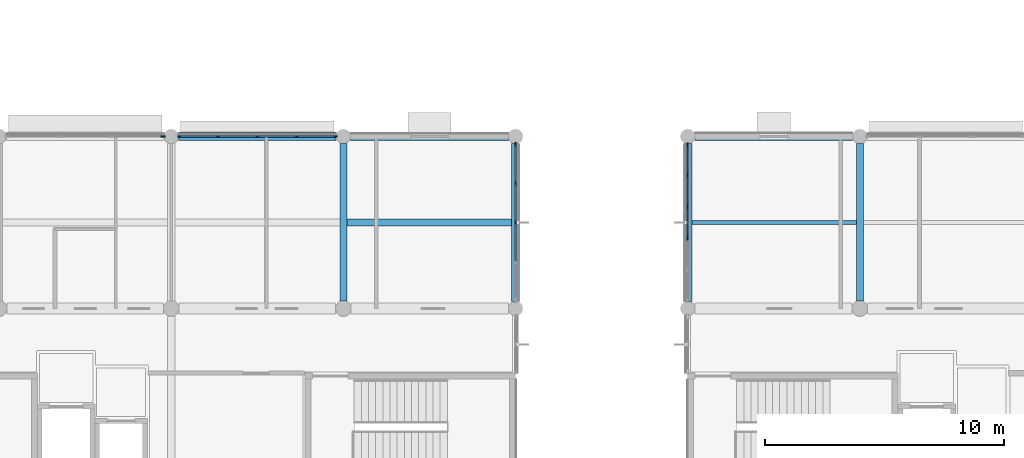
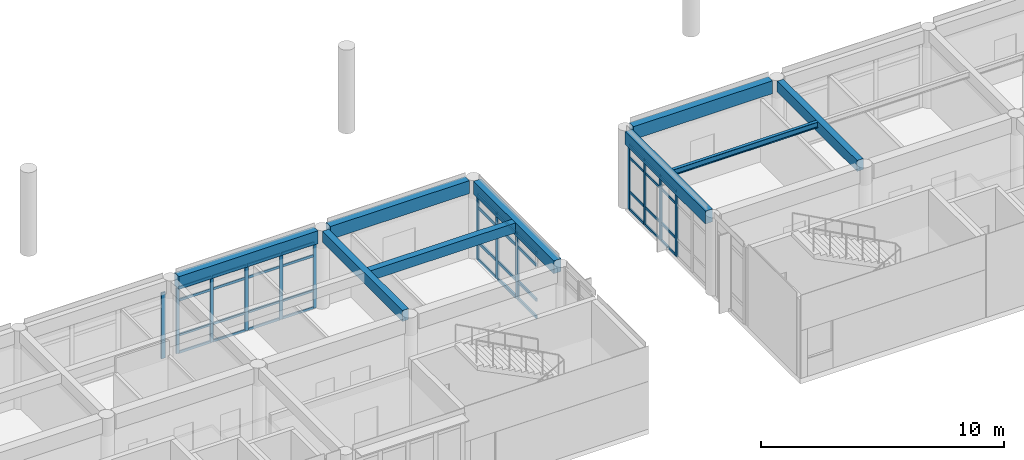
# One storey, part 13 of 55: 53 members, 9 beams, 4 elements without a shape of their own.
"""IFC4 building model written with IfcOpenShell, lengths in metres."""

from ifc_helpers import new_model, si_unit, direction, frame, origin, origin_2d, place, context, subcontext, project, spatial, rectangle, i_section, extrude, material, layer, layer_set, material_profile, profile_set, type_object, element, aggregate, save


model = new_model("IFC4")

# Units and contexts
model_context = context("Model", 3, precision=1e-05, world=origin(), true_north=direction((0.0, 1.0)))
body_context = subcontext(model_context, "Body", "Model", "MODEL_VIEW")
ifc_project = project(units=[si_unit("LENGTHUNIT", "METRE"), si_unit("AREAUNIT", "SQUARE_METRE"), si_unit("VOLUMEUNIT", "CUBIC_METRE"), si_unit("PLANEANGLEUNIT", "RADIAN"), si_unit("MASSUNIT", "GRAM", prefix="KILO")], contexts=[model_context])

# Site, building, storey
site_placement = place(None, origin())
site = spatial("IfcSite", under=ifc_project, at=site_placement, CompositionType="ELEMENT")
building_placement = place(site_placement, origin())
building = spatial("IfcBuilding", under=site, at=building_placement, Name="Namkhue Oval Health Centre", CompositionType="ELEMENT")
storey_placement = place(building_placement, frame((0.0, 0.0, 9.60009765625)))
storey = spatial("IfcBuildingStorey", under=building, at=storey_placement, Name="L02", CompositionType="ELEMENT", Elevation=9.60009765625)

# Curtain wall, members
ifc_material_1 = material(Name="Anodised aluminium EN AW-6063 T6", Category="aluminium")
ifc_layer_1 = layer(ifc_material_1, 0.159912109375)
ifc_layer_set_1 = layer_set([ifc_layer_1], Name="Anodised aluminium EN AW-6063 T6")
curtain_wall_type_1 = type_object("IfcCurtainWallType", Name="UNITISED CURTAIN WALL M1800", PredefinedType="NOTDEFINED", material=ifc_layer_set_1)
curtain_wall_1_placement = place(storey_placement, origin())
curtain_wall_1 = element("IfcCurtainWall", 1, at=curtain_wall_1_placement, inside=storey, type_object=curtain_wall_type_1, Name="Volume V2 L02 Unitised Curtain Wall 65", PredefinedType="NOTDEFINED")
ifc_material_profile_1 = material_profile(ifc_material_1, rectangle(XDim=0.06494140625, YDim=0.159912109375, at=origin_2d()), Name="ALU 65x160")
ifc_profile_set_1 = profile_set([ifc_material_profile_1], Name="Anodised aluminium EN AW-6063 T6")
member_type_1 = type_object("IfcMemberType", Name="CURTAIN WALL MULLION 65X160", PredefinedType="MULLION", material=ifc_profile_set_1)
member_1_placement = place(storey_placement, frame((78.857421875, 104.39990234375, 0.0), z_axis=(0.0, 0.0, 1.0), x_axis=(0.0, -1.0, 0.0)))
member_1 = element("IfcMember", 2, at=member_1_placement, type_object=member_type_1, Name="CW-05 mullion 1", PredefinedType="MULLION", context=body_context, shape_type="SweptSolid", body=[
    extrude(rectangle(XDim=0.06494140625, YDim=0.159912109375, at=origin_2d()), origin(), (0.0, 0.0, 1.0), 3.2998046875),
])
member_2_placement = place(storey_placement, frame((77.2451171875, 104.39990234375, 0.0), z_axis=(0.0, 0.0, 1.0), x_axis=(0.0, -1.0, 0.0)))
member_2 = element("IfcMember", 3, at=member_2_placement, type_object=member_type_1, Name="CW-05 mullion 2", PredefinedType="MULLION", context=body_context, shape_type="SweptSolid", body=[
    extrude(rectangle(XDim=0.06494140625, YDim=0.159912109375, at=origin_2d()), origin(), (0.0, 0.0, 1.0), 3.2998046875),
])
member_3_placement = place(storey_placement, frame((75.60009765625, 104.39990234375, 0.0), z_axis=(0.0, 0.0, 1.0), x_axis=(0.0, -1.0, 0.0)))
member_3 = element("IfcMember", 4, at=member_3_placement, type_object=member_type_1, Name="CW-05 mullion 3", PredefinedType="MULLION", context=body_context, shape_type="SweptSolid", body=[
    extrude(rectangle(XDim=0.06494140625, YDim=0.159912109375, at=origin_2d()), origin(), (0.0, 0.0, 1.0), 3.2998046875),
])
member_4_placement = place(storey_placement, frame((73.955078125, 104.39990234375, 0.0), z_axis=(0.0, 0.0, 1.0), x_axis=(0.0, -1.0, 0.0)))
member_4 = element("IfcMember", 5, at=member_4_placement, type_object=member_type_1, Name="CW-05 mullion 4", PredefinedType="MULLION", context=body_context, shape_type="SweptSolid", body=[
    extrude(rectangle(XDim=0.06494140625, YDim=0.159912109375, at=origin_2d()), origin(), (0.0, 0.0, 1.0), 3.2998046875),
])
member_5_placement = place(storey_placement, frame((72.342529296875, 104.39990234375, 0.0), z_axis=(0.0, 0.0, 1.0), x_axis=(0.0, -1.0, 0.0)))
member_5 = element("IfcMember", 6, at=member_5_placement, type_object=member_type_1, Name="CW-05 mullion 5", PredefinedType="MULLION", context=body_context, shape_type="SweptSolid", body=[
    extrude(rectangle(XDim=0.06494140625, YDim=0.159912109375, at=origin_2d()), origin(), (0.0, 0.0, 1.0), 3.2998046875),
])

ifc_layer_2 = layer(ifc_material_1, 0.159912109375)
ifc_layer_set_2 = layer_set([ifc_layer_2], Name="Anodised aluminium EN AW-6063 T6")
curtain_wall_type_2 = type_object("IfcCurtainWallType", Name="UNITISED CURTAIN WALL M1200", PredefinedType="NOTDEFINED", material=ifc_layer_set_2)
curtain_wall_2_placement = place(storey_placement, origin())
curtain_wall_2 = element("IfcCurtainWall", 7, at=curtain_wall_2_placement, inside=storey, type_object=curtain_wall_type_2, Name="Volume V3 L02 Unitised Curtain Wall 115", PredefinedType="NOTDEFINED")
member_6_placement = place(storey_placement, frame((93.60009765625, 104.0576171875, 0.0), z_axis=(0.0, 0.0, 1.0), x_axis=(1.0, 0.0, 0.0)))
member_6 = element("IfcMember", 8, at=member_6_placement, type_object=member_type_1, Name="CW-01 mullion 1", PredefinedType="MULLION", context=body_context, shape_type="SweptSolid", body=[
    extrude(rectangle(XDim=0.06494140625, YDim=0.159912109375, at=origin_2d()), origin(), (0.0, 0.0, 1.0), 3.27490234375),
])
member_7_placement = place(storey_placement, frame((93.60009765625, 102.77392578125, 0.0), z_axis=(0.0, 0.0, 1.0), x_axis=(1.0, 0.0, 0.0)))
member_7 = element("IfcMember", 9, at=member_7_placement, type_object=member_type_1, Name="CW-01 mullion 2", PredefinedType="MULLION", context=body_context, shape_type="SweptSolid", body=[
    extrude(rectangle(XDim=0.06494140625, YDim=0.159912109375, at=origin_2d()), origin(), (0.0, 0.0, 1.0), 3.27490234375),
])
member_8_placement = place(storey_placement, frame((93.60009765625, 101.4580078125, 0.0), z_axis=(0.0, 0.0, 1.0), x_axis=(1.0, 0.0, 0.0)))
member_8 = element("IfcMember", 10, at=member_8_placement, type_object=member_type_1, Name="CW-01 mullion 3", PredefinedType="MULLION", context=body_context, shape_type="SweptSolid", body=[
    extrude(rectangle(XDim=0.06494140625, YDim=0.159912109375, at=origin_2d()), origin(), (0.0, 0.0, 1.0), 3.27490234375),
])
member_9_placement = place(storey_placement, frame((93.60009765625, 100.14208984375, 0.0), z_axis=(0.0, 0.0, 1.0), x_axis=(1.0, 0.0, 0.0)))
member_9 = element("IfcMember", 11, at=member_9_placement, type_object=member_type_1, Name="CW-01 mullion 4", PredefinedType="MULLION", context=body_context, shape_type="SweptSolid", body=[
    extrude(rectangle(XDim=0.06494140625, YDim=0.159912109375, at=origin_2d()), origin(), (0.0, 0.0, 1.0), 3.27490234375),
])

ifc_layer_3 = layer(ifc_material_1, 0.159912109375)
ifc_layer_set_3 = layer_set([ifc_layer_3], Name="Anodised aluminium EN AW-6063 T6")
curtain_wall_type_3 = type_object("IfcCurtainWallType", Name="UNITISED CURTAIN WALL M1600", PredefinedType="NOTDEFINED", material=ifc_layer_set_3)
curtain_wall_3_placement = place(storey_placement, origin())
curtain_wall_3 = element("IfcCurtainWall", 12, at=curtain_wall_3_placement, inside=storey, type_object=curtain_wall_type_3, Name="Volume V2 L02 Unitised Curtain Wall 64", PredefinedType="NOTDEFINED")
ifc_material_profile_2 = material_profile(ifc_material_1, rectangle(XDim=0.074951171875, YDim=0.199951171875, at=origin_2d()), Name="ALU 75x200")
ifc_profile_set_2 = profile_set([ifc_material_profile_2], Name="Anodised aluminium EN AW-6063 T6")
member_type_2 = type_object("IfcMemberType", Name="CURTAIN WALL MULLION 75X200", PredefinedType="MULLION", material=ifc_profile_set_2)
member_10_placement = place(storey_placement, frame((86.39990234375, 100.800048828125, 0.0), z_axis=(0.0, 0.0, 1.0), x_axis=(-1.0, 0.0, 0.0)))
member_10 = element("IfcMember", 13, at=member_10_placement, type_object=member_type_2, Name="CW-04 mullion 3", PredefinedType="MULLION", context=body_context, shape_type="SweptSolid", body=[
    extrude(rectangle(XDim=0.074951171875, YDim=0.199951171875, at=origin_2d()), origin(), (0.0, 0.0, 1.0), 3.2998046875),
])
member_11_placement = place(storey_placement, frame((86.39990234375, 102.445068359375, 0.0), z_axis=(0.0, 0.0, 1.0), x_axis=(-1.0, 0.0, 0.0)))
member_11 = element("IfcMember", 14, at=member_11_placement, type_object=member_type_2, Name="CW-04 mullion 4", PredefinedType="MULLION", context=body_context, shape_type="SweptSolid", body=[
    extrude(rectangle(XDim=0.074951171875, YDim=0.199951171875, at=origin_2d()), origin(), (0.0, 0.0, 1.0), 3.2998046875),
])
member_12_placement = place(storey_placement, frame((86.39990234375, 104.052490234375, 0.0), z_axis=(0.0, 0.0, 1.0), x_axis=(-1.0, 0.0, 0.0)))
member_12 = element("IfcMember", 15, at=member_12_placement, type_object=member_type_2, Name="CW-04 mullion 5", PredefinedType="MULLION", context=body_context, shape_type="SweptSolid", body=[
    extrude(rectangle(XDim=0.074951171875, YDim=0.199951171875, at=origin_2d()), origin(), (0.0, 0.0, 1.0), 3.2998046875),
])

# Curtain wall, member
ifc_layer_4 = layer(ifc_material_1, 0.159912109375)
ifc_layer_set_4 = layer_set([ifc_layer_4], Name="Anodised aluminium EN AW-6063 T6")
curtain_wall_type_4 = type_object("IfcCurtainWallType", Name="UNITISED CURTAIN WALL M2000", PredefinedType="NOTDEFINED", material=ifc_layer_set_4)
curtain_wall_4_placement = place(storey_placement, origin())
curtain_wall_4 = element("IfcCurtainWall", 16, at=curtain_wall_4_placement, inside=storey, type_object=curtain_wall_type_4, Name="Volume V2 L02 Unitised Curtain Wall 66", PredefinedType="NOTDEFINED")
member_13_placement = place(storey_placement, frame((71.652587890625, 104.39990234375, 0.0), z_axis=(0.0, 0.0, 1.0), x_axis=(0.0, -1.0, 0.0)))
member_13 = element("IfcMember", 17, at=member_13_placement, type_object=member_type_2, Name="CW-06 mullion 1", PredefinedType="MULLION", context=body_context, shape_type="SweptSolid", body=[
    extrude(rectangle(XDim=0.074951171875, YDim=0.199951171875, at=origin_2d()), origin(), (0.0, 0.0, 1.0), 3.2998046875),
])
aggregate(curtain_wall_4, [member_13])

# Member
ifc_material_profile_3 = material_profile(ifc_material_1, rectangle(XDim=0.06494140625, YDim=0.1201171875, at=origin_2d()), Name="ALU 65x120")
ifc_profile_set_3 = profile_set([ifc_material_profile_3], Name="Anodised aluminium EN AW-6063 T6")
member_type_3 = type_object("IfcMemberType", Name="CURTAIN WALL TRANSOM 65X120", PredefinedType="USERDEFINED", material=ifc_profile_set_3)
member_14_placement = place(storey_placement, frame((78.824951171875, 104.39990234375, 0.032470703125), z_axis=(-1.0, 0.0, 0.0), x_axis=(0.0, -1.0, 0.0)))
member_14 = element("IfcMember", 18, at=member_14_placement, type_object=member_type_3, Name="CW-05 transom 1.1", ObjectType="TRANSOM", PredefinedType="USERDEFINED", context=body_context, shape_type="SweptSolid", body=[
    extrude(rectangle(XDim=0.06494140625, YDim=0.1201171875, at=origin_2d()), origin(), (0.0, 0.0, 1.0), 1.54736328125),
])

member_15_placement = place(storey_placement, frame((78.824951171875, 104.39990234375, 0.89990234375), z_axis=(-1.0, 0.0, 0.0), x_axis=(0.0, -1.0, 0.0)))
member_15 = element("IfcMember", 19, at=member_15_placement, type_object=member_type_3, Name="CW-05 transom 1.2", ObjectType="TRANSOM", PredefinedType="USERDEFINED", context=body_context, shape_type="SweptSolid", body=[
    extrude(rectangle(XDim=0.06494140625, YDim=0.1201171875, at=origin_2d()), origin(), (0.0, 0.0, 1.0), 1.54736328125),
])

member_16_placement = place(storey_placement, frame((78.824951171875, 104.39990234375, 2.64990234375), z_axis=(-1.0, 0.0, 0.0), x_axis=(0.0, -1.0, 0.0)))
member_16 = element("IfcMember", 20, at=member_16_placement, type_object=member_type_3, Name="CW-05 transom 1.3", ObjectType="TRANSOM", PredefinedType="USERDEFINED", context=body_context, shape_type="SweptSolid", body=[
    extrude(rectangle(XDim=0.06494140625, YDim=0.1201171875, at=origin_2d()), origin(), (0.0, 0.0, 1.0), 1.54736328125),
])

member_17_placement = place(storey_placement, frame((78.824951171875, 104.39990234375, 3.267333984375), z_axis=(-1.0, 0.0, 0.0), x_axis=(0.0, -1.0, 0.0)))
member_17 = element("IfcMember", 21, at=member_17_placement, type_object=member_type_3, Name="CW-05 transom 1.4", ObjectType="TRANSOM", PredefinedType="USERDEFINED", context=body_context, shape_type="SweptSolid", body=[
    extrude(rectangle(XDim=0.06494140625, YDim=0.1201171875, at=origin_2d()), origin(), (0.0, 0.0, 1.0), 1.54736328125),
])

member_18_placement = place(storey_placement, frame((77.21240234375, 104.39990234375, 0.032470703125), z_axis=(-1.0, 0.0, 0.0), x_axis=(0.0, -1.0, 0.0)))
member_18 = element("IfcMember", 22, at=member_18_placement, type_object=member_type_3, Name="CW-05 transom 2.1", ObjectType="TRANSOM", PredefinedType="USERDEFINED", context=body_context, shape_type="SweptSolid", body=[
    extrude(rectangle(XDim=0.06494140625, YDim=0.1201171875, at=origin_2d()), origin(), (0.0, 0.0, 1.0), 1.579833984375),
])

member_19_placement = place(storey_placement, frame((77.21240234375, 104.39990234375, 0.89990234375), z_axis=(-1.0, 0.0, 0.0), x_axis=(0.0, -1.0, 0.0)))
member_19 = element("IfcMember", 23, at=member_19_placement, type_object=member_type_3, Name="CW-05 transom 2.2", ObjectType="TRANSOM", PredefinedType="USERDEFINED", context=body_context, shape_type="SweptSolid", body=[
    extrude(rectangle(XDim=0.06494140625, YDim=0.1201171875, at=origin_2d()), origin(), (0.0, 0.0, 1.0), 1.579833984375),
])

member_20_placement = place(storey_placement, frame((77.21240234375, 104.39990234375, 2.64990234375), z_axis=(-1.0, 0.0, 0.0), x_axis=(0.0, -1.0, 0.0)))
member_20 = element("IfcMember", 24, at=member_20_placement, type_object=member_type_3, Name="CW-05 transom 2.3", ObjectType="TRANSOM", PredefinedType="USERDEFINED", context=body_context, shape_type="SweptSolid", body=[
    extrude(rectangle(XDim=0.06494140625, YDim=0.1201171875, at=origin_2d()), origin(), (0.0, 0.0, 1.0), 1.579833984375),
])

member_21_placement = place(storey_placement, frame((77.21240234375, 104.39990234375, 3.267333984375), z_axis=(-1.0, 0.0, 0.0), x_axis=(0.0, -1.0, 0.0)))
member_21 = element("IfcMember", 25, at=member_21_placement, type_object=member_type_3, Name="CW-05 transom 2.4", ObjectType="TRANSOM", PredefinedType="USERDEFINED", context=body_context, shape_type="SweptSolid", body=[
    extrude(rectangle(XDim=0.06494140625, YDim=0.1201171875, at=origin_2d()), origin(), (0.0, 0.0, 1.0), 1.579833984375),
])

member_22_placement = place(storey_placement, frame((75.5673828125, 104.39990234375, 0.032470703125), z_axis=(-1.0, 0.0, 0.0), x_axis=(0.0, -1.0, 0.0)))
member_22 = element("IfcMember", 26, at=member_22_placement, type_object=member_type_3, Name="CW-05 transom 3.1", ObjectType="TRANSOM", PredefinedType="USERDEFINED", context=body_context, shape_type="SweptSolid", body=[
    extrude(rectangle(XDim=0.06494140625, YDim=0.1201171875, at=origin_2d()), origin(), (0.0, 0.0, 1.0), 1.579833984375),
])

member_23_placement = place(storey_placement, frame((75.5673828125, 104.39990234375, 0.89990234375), z_axis=(-1.0, 0.0, 0.0), x_axis=(0.0, -1.0, 0.0)))
member_23 = element("IfcMember", 27, at=member_23_placement, type_object=member_type_3, Name="CW-05 transom 3.2", ObjectType="TRANSOM", PredefinedType="USERDEFINED", context=body_context, shape_type="SweptSolid", body=[
    extrude(rectangle(XDim=0.06494140625, YDim=0.1201171875, at=origin_2d()), origin(), (0.0, 0.0, 1.0), 1.579833984375),
])

member_24_placement = place(storey_placement, frame((75.5673828125, 104.39990234375, 2.64990234375), z_axis=(-1.0, 0.0, 0.0), x_axis=(0.0, -1.0, 0.0)))
member_24 = element("IfcMember", 28, at=member_24_placement, type_object=member_type_3, Name="CW-05 transom 3.3", ObjectType="TRANSOM", PredefinedType="USERDEFINED", context=body_context, shape_type="SweptSolid", body=[
    extrude(rectangle(XDim=0.06494140625, YDim=0.1201171875, at=origin_2d()), origin(), (0.0, 0.0, 1.0), 1.579833984375),
])

member_25_placement = place(storey_placement, frame((75.5673828125, 104.39990234375, 3.267333984375), z_axis=(-1.0, 0.0, 0.0), x_axis=(0.0, -1.0, 0.0)))
member_25 = element("IfcMember", 29, at=member_25_placement, type_object=member_type_3, Name="CW-05 transom 3.4", ObjectType="TRANSOM", PredefinedType="USERDEFINED", context=body_context, shape_type="SweptSolid", body=[
    extrude(rectangle(XDim=0.06494140625, YDim=0.1201171875, at=origin_2d()), origin(), (0.0, 0.0, 1.0), 1.579833984375),
])

member_26_placement = place(storey_placement, frame((73.922607421875, 104.39990234375, 0.032470703125), z_axis=(-1.0, 0.0, 0.0), x_axis=(0.0, -1.0, 0.0)))
member_26 = element("IfcMember", 30, at=member_26_placement, type_object=member_type_3, Name="CW-05 transom 4.1", ObjectType="TRANSOM", PredefinedType="USERDEFINED", context=body_context, shape_type="SweptSolid", body=[
    extrude(rectangle(XDim=0.06494140625, YDim=0.1201171875, at=origin_2d()), origin(), (0.0, 0.0, 1.0), 1.547607421875),
])

member_27_placement = place(storey_placement, frame((73.922607421875, 104.39990234375, 0.89990234375), z_axis=(-1.0, 0.0, 0.0), x_axis=(0.0, -1.0, 0.0)))
member_27 = element("IfcMember", 31, at=member_27_placement, type_object=member_type_3, Name="CW-05 transom 4.2", ObjectType="TRANSOM", PredefinedType="USERDEFINED", context=body_context, shape_type="SweptSolid", body=[
    extrude(rectangle(XDim=0.06494140625, YDim=0.1201171875, at=origin_2d()), origin(), (0.0, 0.0, 1.0), 1.547607421875),
])

member_28_placement = place(storey_placement, frame((73.922607421875, 104.39990234375, 2.64990234375), z_axis=(-1.0, 0.0, 0.0), x_axis=(0.0, -1.0, 0.0)))
member_28 = element("IfcMember", 32, at=member_28_placement, type_object=member_type_3, Name="CW-05 transom 4.3", ObjectType="TRANSOM", PredefinedType="USERDEFINED", context=body_context, shape_type="SweptSolid", body=[
    extrude(rectangle(XDim=0.06494140625, YDim=0.1201171875, at=origin_2d()), origin(), (0.0, 0.0, 1.0), 1.547607421875),
])

member_29_placement = place(storey_placement, frame((73.922607421875, 104.39990234375, 3.267333984375), z_axis=(-1.0, 0.0, 0.0), x_axis=(0.0, -1.0, 0.0)))
member_29 = element("IfcMember", 33, at=member_29_placement, type_object=member_type_3, Name="CW-05 transom 4.4", ObjectType="TRANSOM", PredefinedType="USERDEFINED", context=body_context, shape_type="SweptSolid", body=[
    extrude(rectangle(XDim=0.06494140625, YDim=0.1201171875, at=origin_2d()), origin(), (0.0, 0.0, 1.0), 1.547607421875),
])

aggregate(curtain_wall_1, [member_1, member_2, member_3, member_4, member_5, member_14, member_15, member_16, member_17, member_18, member_19, member_20, member_21, member_22, member_23, member_24, member_25, member_26, member_27, member_28, member_29])

member_30_placement = place(storey_placement, frame((93.60009765625, 104.02490234375, 0.032470703125), z_axis=(0.0, -1.0, 0.0), x_axis=(1.0, 0.0, 0.0)))
member_30 = element("IfcMember", 34, at=member_30_placement, type_object=member_type_3, Name="CW-01 transom 1.1", ObjectType="TRANSOM", PredefinedType="USERDEFINED", context=body_context, shape_type="SweptSolid", body=[
    extrude(rectangle(XDim=0.06494140625, YDim=0.1201171875, at=origin_2d()), origin(), (0.0, 0.0, 1.0), 1.218505859375),
])

member_31_placement = place(storey_placement, frame((93.60009765625, 104.02490234375, 0.89990234375), z_axis=(0.0, -1.0, 0.0), x_axis=(1.0, 0.0, 0.0)))
member_31 = element("IfcMember", 35, at=member_31_placement, type_object=member_type_3, Name="CW-01 transom 1.2", ObjectType="TRANSOM", PredefinedType="USERDEFINED", context=body_context, shape_type="SweptSolid", body=[
    extrude(rectangle(XDim=0.06494140625, YDim=0.1201171875, at=origin_2d()), origin(), (0.0, 0.0, 1.0), 1.218505859375),
])

member_32_placement = place(storey_placement, frame((93.60009765625, 104.02490234375, 2.625), z_axis=(0.0, -1.0, 0.0), x_axis=(1.0, 0.0, 0.0)))
member_32 = element("IfcMember", 36, at=member_32_placement, type_object=member_type_3, Name="CW-01 transom 1.3", ObjectType="TRANSOM", PredefinedType="USERDEFINED", context=body_context, shape_type="SweptSolid", body=[
    extrude(rectangle(XDim=0.06494140625, YDim=0.1201171875, at=origin_2d()), origin(), (0.0, 0.0, 1.0), 1.218505859375),
])

member_33_placement = place(storey_placement, frame((93.60009765625, 104.02490234375, 3.242431640625), z_axis=(0.0, -1.0, 0.0), x_axis=(1.0, 0.0, 0.0)))
member_33 = element("IfcMember", 37, at=member_33_placement, type_object=member_type_3, Name="CW-01 transom 1.4", ObjectType="TRANSOM", PredefinedType="USERDEFINED", context=body_context, shape_type="SweptSolid", body=[
    extrude(rectangle(XDim=0.06494140625, YDim=0.1201171875, at=origin_2d()), origin(), (0.0, 0.0, 1.0), 1.218505859375),
])

member_34_placement = place(storey_placement, frame((93.60009765625, 102.741455078125, 0.032470703125), z_axis=(0.0, -1.0, 0.0), x_axis=(1.0, 0.0, 0.0)))
member_34 = element("IfcMember", 38, at=member_34_placement, type_object=member_type_3, Name="CW-01 transom 2.1", ObjectType="TRANSOM", PredefinedType="USERDEFINED", context=body_context, shape_type="SweptSolid", body=[
    extrude(rectangle(XDim=0.06494140625, YDim=0.1201171875, at=origin_2d()), origin(), (0.0, 0.0, 1.0), 1.2509765625),
])

member_35_placement = place(storey_placement, frame((93.60009765625, 102.741455078125, 0.89990234375), z_axis=(0.0, -1.0, 0.0), x_axis=(1.0, 0.0, 0.0)))
member_35 = element("IfcMember", 39, at=member_35_placement, type_object=member_type_3, Name="CW-01 transom 2.2", ObjectType="TRANSOM", PredefinedType="USERDEFINED", context=body_context, shape_type="SweptSolid", body=[
    extrude(rectangle(XDim=0.06494140625, YDim=0.1201171875, at=origin_2d()), origin(), (0.0, 0.0, 1.0), 1.2509765625),
])

member_36_placement = place(storey_placement, frame((93.60009765625, 102.741455078125, 2.625), z_axis=(0.0, -1.0, 0.0), x_axis=(1.0, 0.0, 0.0)))
member_36 = element("IfcMember", 40, at=member_36_placement, type_object=member_type_3, Name="CW-01 transom 2.3", ObjectType="TRANSOM", PredefinedType="USERDEFINED", context=body_context, shape_type="SweptSolid", body=[
    extrude(rectangle(XDim=0.06494140625, YDim=0.1201171875, at=origin_2d()), origin(), (0.0, 0.0, 1.0), 1.2509765625),
])

member_37_placement = place(storey_placement, frame((93.60009765625, 102.741455078125, 3.242431640625), z_axis=(0.0, -1.0, 0.0), x_axis=(1.0, 0.0, 0.0)))
member_37 = element("IfcMember", 41, at=member_37_placement, type_object=member_type_3, Name="CW-01 transom 2.4", ObjectType="TRANSOM", PredefinedType="USERDEFINED", context=body_context, shape_type="SweptSolid", body=[
    extrude(rectangle(XDim=0.06494140625, YDim=0.1201171875, at=origin_2d()), origin(), (0.0, 0.0, 1.0), 1.2509765625),
])

member_38_placement = place(storey_placement, frame((93.60009765625, 101.425537109375, 0.032470703125), z_axis=(0.0, -1.0, 0.0), x_axis=(1.0, 0.0, 0.0)))
member_38 = element("IfcMember", 42, at=member_38_placement, type_object=member_type_3, Name="CW-01 transom 3.1", ObjectType="TRANSOM", PredefinedType="USERDEFINED", context=body_context, shape_type="SweptSolid", body=[
    extrude(rectangle(XDim=0.06494140625, YDim=0.1201171875, at=origin_2d()), origin(), (0.0, 0.0, 1.0), 1.2509765625),
])

member_39_placement = place(storey_placement, frame((93.60009765625, 101.425537109375, 0.89990234375), z_axis=(0.0, -1.0, 0.0), x_axis=(1.0, 0.0, 0.0)))
member_39 = element("IfcMember", 43, at=member_39_placement, type_object=member_type_3, Name="CW-01 transom 3.2", ObjectType="TRANSOM", PredefinedType="USERDEFINED", context=body_context, shape_type="SweptSolid", body=[
    extrude(rectangle(XDim=0.06494140625, YDim=0.1201171875, at=origin_2d()), origin(), (0.0, 0.0, 1.0), 1.2509765625),
])

member_40_placement = place(storey_placement, frame((93.60009765625, 101.425537109375, 2.625), z_axis=(0.0, -1.0, 0.0), x_axis=(1.0, 0.0, 0.0)))
member_40 = element("IfcMember", 44, at=member_40_placement, type_object=member_type_3, Name="CW-01 transom 3.3", ObjectType="TRANSOM", PredefinedType="USERDEFINED", context=body_context, shape_type="SweptSolid", body=[
    extrude(rectangle(XDim=0.06494140625, YDim=0.1201171875, at=origin_2d()), origin(), (0.0, 0.0, 1.0), 1.2509765625),
])

member_41_placement = place(storey_placement, frame((93.60009765625, 101.425537109375, 3.242431640625), z_axis=(0.0, -1.0, 0.0), x_axis=(1.0, 0.0, 0.0)))
member_41 = element("IfcMember", 45, at=member_41_placement, type_object=member_type_3, Name="CW-01 transom 3.4", ObjectType="TRANSOM", PredefinedType="USERDEFINED", context=body_context, shape_type="SweptSolid", body=[
    extrude(rectangle(XDim=0.06494140625, YDim=0.1201171875, at=origin_2d()), origin(), (0.0, 0.0, 1.0), 1.2509765625),
])

aggregate(curtain_wall_2, [member_6, member_7, member_8, member_9, member_30, member_31, member_32, member_33, member_34, member_35, member_36, member_37, member_38, member_39, member_40, member_41])

ifc_material_profile_4 = material_profile(ifc_material_1, rectangle(XDim=0.074951171875, YDim=0.14990234375, at=origin_2d()), Name="ALU 75x150")
ifc_profile_set_4 = profile_set([ifc_material_profile_4], Name="Anodised aluminium EN AW-6063 T6")
member_type_4 = type_object("IfcMemberType", Name="CURTAIN WALL TRANSOM 75X150", PredefinedType="USERDEFINED", material=ifc_profile_set_4)
member_42_placement = place(storey_placement, frame((86.39990234375, 99.1923828125, 0.037353515625), z_axis=(0.0, 1.0, 0.0), x_axis=(-1.0, 0.0, 0.0)))
member_42 = element("IfcMember", 46, at=member_42_placement, type_object=member_type_4, Name="CW-04 transom 2.1", ObjectType="TRANSOM", PredefinedType="USERDEFINED", context=body_context, shape_type="SweptSolid", body=[
    extrude(rectangle(XDim=0.074951171875, YDim=0.14990234375, at=origin_2d()), origin(), (0.0, 0.0, 1.0), 1.570068359375),
])

member_43_placement = place(storey_placement, frame((86.39990234375, 99.1923828125, 0.89990234375), z_axis=(0.0, 1.0, 0.0), x_axis=(-1.0, 0.0, 0.0)))
member_43 = element("IfcMember", 47, at=member_43_placement, type_object=member_type_4, Name="CW-04 transom 2.2", ObjectType="TRANSOM", PredefinedType="USERDEFINED", context=body_context, shape_type="SweptSolid", body=[
    extrude(rectangle(XDim=0.074951171875, YDim=0.14990234375, at=origin_2d()), origin(), (0.0, 0.0, 1.0), 1.570068359375),
])

member_44_placement = place(storey_placement, frame((86.39990234375, 99.1923828125, 2.64990234375), z_axis=(0.0, 1.0, 0.0), x_axis=(-1.0, 0.0, 0.0)))
member_44 = element("IfcMember", 48, at=member_44_placement, type_object=member_type_4, Name="CW-04 transom 2.3", ObjectType="TRANSOM", PredefinedType="USERDEFINED", context=body_context, shape_type="SweptSolid", body=[
    extrude(rectangle(XDim=0.074951171875, YDim=0.14990234375, at=origin_2d()), origin(), (0.0, 0.0, 1.0), 1.570068359375),
])

member_45_placement = place(storey_placement, frame((86.39990234375, 99.1923828125, 3.262451171875), z_axis=(0.0, 1.0, 0.0), x_axis=(-1.0, 0.0, 0.0)))
member_45 = element("IfcMember", 49, at=member_45_placement, type_object=member_type_4, Name="CW-04 transom 2.4", ObjectType="TRANSOM", PredefinedType="USERDEFINED", context=body_context, shape_type="SweptSolid", body=[
    extrude(rectangle(XDim=0.074951171875, YDim=0.14990234375, at=origin_2d()), origin(), (0.0, 0.0, 1.0), 1.570068359375),
])

member_46_placement = place(storey_placement, frame((86.39990234375, 100.83740234375, 0.037353515625), z_axis=(0.0, 1.0, 0.0), x_axis=(-1.0, 0.0, 0.0)))
member_46 = element("IfcMember", 50, at=member_46_placement, type_object=member_type_4, Name="CW-04 transom 3.1", ObjectType="TRANSOM", PredefinedType="USERDEFINED", context=body_context, shape_type="SweptSolid", body=[
    extrude(rectangle(XDim=0.074951171875, YDim=0.14990234375, at=origin_2d()), origin(), (0.0, 0.0, 1.0), 1.570068359375),
])

member_47_placement = place(storey_placement, frame((86.39990234375, 100.83740234375, 0.89990234375), z_axis=(0.0, 1.0, 0.0), x_axis=(-1.0, 0.0, 0.0)))
member_47 = element("IfcMember", 51, at=member_47_placement, type_object=member_type_4, Name="CW-04 transom 3.2", ObjectType="TRANSOM", PredefinedType="USERDEFINED", context=body_context, shape_type="SweptSolid", body=[
    extrude(rectangle(XDim=0.074951171875, YDim=0.14990234375, at=origin_2d()), origin(), (0.0, 0.0, 1.0), 1.570068359375),
])

member_48_placement = place(storey_placement, frame((86.39990234375, 100.83740234375, 2.64990234375), z_axis=(0.0, 1.0, 0.0), x_axis=(-1.0, 0.0, 0.0)))
member_48 = element("IfcMember", 52, at=member_48_placement, type_object=member_type_4, Name="CW-04 transom 3.3", ObjectType="TRANSOM", PredefinedType="USERDEFINED", context=body_context, shape_type="SweptSolid", body=[
    extrude(rectangle(XDim=0.074951171875, YDim=0.14990234375, at=origin_2d()), origin(), (0.0, 0.0, 1.0), 1.570068359375),
])

member_49_placement = place(storey_placement, frame((86.39990234375, 100.83740234375, 3.262451171875), z_axis=(0.0, 1.0, 0.0), x_axis=(-1.0, 0.0, 0.0)))
member_49 = element("IfcMember", 53, at=member_49_placement, type_object=member_type_4, Name="CW-04 transom 3.4", ObjectType="TRANSOM", PredefinedType="USERDEFINED", context=body_context, shape_type="SweptSolid", body=[
    extrude(rectangle(XDim=0.074951171875, YDim=0.14990234375, at=origin_2d()), origin(), (0.0, 0.0, 1.0), 1.570068359375),
])

member_50_placement = place(storey_placement, frame((86.39990234375, 102.482421875, 0.037353515625), z_axis=(0.0, 1.0, 0.0), x_axis=(-1.0, 0.0, 0.0)))
member_50 = element("IfcMember", 54, at=member_50_placement, type_object=member_type_4, Name="CW-04 transom 4.1", ObjectType="TRANSOM", PredefinedType="USERDEFINED", context=body_context, shape_type="SweptSolid", body=[
    extrude(rectangle(XDim=0.074951171875, YDim=0.14990234375, at=origin_2d()), origin(), (0.0, 0.0, 1.0), 1.532470703125),
])

member_51_placement = place(storey_placement, frame((86.39990234375, 102.482421875, 0.89990234375), z_axis=(0.0, 1.0, 0.0), x_axis=(-1.0, 0.0, 0.0)))
member_51 = element("IfcMember", 55, at=member_51_placement, type_object=member_type_4, Name="CW-04 transom 4.2", ObjectType="TRANSOM", PredefinedType="USERDEFINED", context=body_context, shape_type="SweptSolid", body=[
    extrude(rectangle(XDim=0.074951171875, YDim=0.14990234375, at=origin_2d()), origin(), (0.0, 0.0, 1.0), 1.532470703125),
])

member_52_placement = place(storey_placement, frame((86.39990234375, 102.482421875, 2.64990234375), z_axis=(0.0, 1.0, 0.0), x_axis=(-1.0, 0.0, 0.0)))
member_52 = element("IfcMember", 56, at=member_52_placement, type_object=member_type_4, Name="CW-04 transom 4.3", ObjectType="TRANSOM", PredefinedType="USERDEFINED", context=body_context, shape_type="SweptSolid", body=[
    extrude(rectangle(XDim=0.074951171875, YDim=0.14990234375, at=origin_2d()), origin(), (0.0, 0.0, 1.0), 1.532470703125),
])

member_53_placement = place(storey_placement, frame((86.39990234375, 102.482421875, 3.262451171875), z_axis=(0.0, 1.0, 0.0), x_axis=(-1.0, 0.0, 0.0)))
member_53 = element("IfcMember", 57, at=member_53_placement, type_object=member_type_4, Name="CW-04 transom 4.4", ObjectType="TRANSOM", PredefinedType="USERDEFINED", context=body_context, shape_type="SweptSolid", body=[
    extrude(rectangle(XDim=0.074951171875, YDim=0.14990234375, at=origin_2d()), origin(), (0.0, 0.0, 1.0), 1.532470703125),
])

aggregate(curtain_wall_3, [member_10, member_11, member_12, member_42, member_43, member_44, member_45, member_46, member_47, member_48, member_49, member_50, member_51, member_52, member_53])

# Beams
ifc_material_2 = material(Name="Reinforced concrete C30/37 (TCVN B35)", Category="concrete")
ifc_material_profile_5 = material_profile(ifc_material_2, rectangle(XDim=0.300048828125, YDim=0.550048828125, at=origin_2d()), Name="RC 300x550")
ifc_profile_set_5 = profile_set([ifc_material_profile_5], Name="Reinforced concrete C30/37 (TCVN B35)")
beam_type_1 = type_object("IfcBeamType", Name="FLOOR BEAM RC 300X550", PredefinedType="BEAM", material=ifc_profile_set_5)
for number, where, z_axis, x_axis, name in (
    (58, (79.199951171875, 97.52490234375, 3.6748046875), (0.0, 1.0, 0.0), (-1.0, 0.0, 0.0), "Volume V2 L03 Beam 12/O-P"),
    (59, (100.800048828125, 97.52490234375, 3.64990234375), (0.0, 1.0, 0.0), (-1.0, 0.0, 0.0), "Volume V3 L03 Beam 15/O-P"),
):
    element("IfcBeam", number, at=place(storey_placement, frame(where, z_axis=z_axis, x_axis=x_axis)), inside=storey, type_object=beam_type_1, Name=name, PredefinedType="BEAM", context=body_context, shape_type="SweptSolid", body=[
        extrude(rectangle(XDim=0.300048828125, YDim=0.550048828125, at=origin_2d()), origin(), (0.0, 0.0, 1.0), 6.5751953125),
    ])
ifc_material_3 = material(Name="Reinforced concrete C35/45 (TCVN B40)", Category="concrete")
ifc_material_profile_6 = material_profile(ifc_material_3, rectangle(XDim=0.35009765625, YDim=0.64990234375, at=origin_2d()), Name="RC 350x650")
ifc_profile_set_6 = profile_set([ifc_material_profile_6], Name="Reinforced concrete C35/45 (TCVN B40)")
beam_type_2 = type_object("IfcBeamType", Name="PERIMETER SPANDREL BEAM 350X650", PredefinedType="SPANDREL", material=ifc_profile_set_6)
beam_1_placement = place(storey_placement, frame((72.300048828125, 104.39990234375, 3.625), z_axis=(1.0, 0.0, 0.0), x_axis=(0.0, 1.0, 0.0)))
element("IfcBeam", 60, at=beam_1_placement, inside=storey, type_object=beam_type_2, Name="Volume V2 L03 Girder P/11-12", PredefinedType="SPANDREL", context=body_context, shape_type="SweptSolid", body=[
    extrude(rectangle(XDim=0.35009765625, YDim=0.64990234375, at=origin_2d()), origin(), (0.0, 0.0, 1.0), 6.599853515625),
])
for number, where, z_axis, x_axis, name in (
    (61, (79.5, 104.39990234375, 3.625), (1.0, 0.0, 0.0), (0.0, 1.0, 0.0), "Volume V2 L03 Girder P/12-13"),
    (62, (86.39990234375, 97.5, 3.625), (0.0, 1.0, 0.0), (-1.0, 0.0, 0.0), "Volume V2 L03 Beam 13/O-P"),
    (63, (93.89990234375, 104.39990234375, 3.599853515625), (1.0, 0.0, 0.0), (0.0, 1.0, 0.0), "Volume V3 L03 Girder P/14-15"),
    (64, (93.60009765625, 97.5, 3.599853515625), (0.0, 1.0, 0.0), (-1.0, 0.0, 0.0), "Volume V3 L03 Beam 14/O-P"),
):
    element("IfcBeam", number, at=place(storey_placement, frame(where, z_axis=z_axis, x_axis=x_axis)), inside=storey, type_object=beam_type_2, Name=name, PredefinedType="SPANDREL", context=body_context, shape_type="SweptSolid", body=[
        extrude(rectangle(XDim=0.35009765625, YDim=0.64990234375, at=origin_2d()), origin(), (0.0, 0.0, 1.0), 6.60009765625),
    ])
ifc_material_profile_7 = material_profile(ifc_material_2, rectangle(XDim=0.300048828125, YDim=0.5, at=origin_2d()), Name="RC 300x500")
ifc_profile_set_7 = profile_set([ifc_material_profile_7], Name="Reinforced concrete C30/37 (TCVN B35)")
beam_type_3 = type_object("IfcBeamType", Name="SECONDARY JOIST RC 300X500", PredefinedType="JOIST", material=ifc_profile_set_7)
beam_2_placement = place(storey_placement, frame((79.35009765625, 100.800048828125, 3.699951171875), z_axis=(1.0, 0.0, 0.0), x_axis=(0.0, 1.0, 0.0)))
element("IfcBeam", 65, at=beam_2_placement, inside=storey, type_object=beam_type_3, Name="Volume V2 L03 Secondary Joist 12-13", PredefinedType="JOIST", context=body_context, shape_type="SweptSolid", body=[
    extrude(rectangle(XDim=0.300048828125, YDim=0.5, at=origin_2d()), origin(), (0.0, 0.0, 1.0), 6.875),
])
ifc_material_4 = material(Name="Structural steel EN 10025-2 S355JR (TCVN 5575:2024)", Category="steel")
ifc_material_profile_8 = material_profile(ifc_material_4, i_section(OverallWidth=0.14990234375, OverallDepth=0.300048828125, WebThickness=0.007080078125, FlangeThickness=0.0107421875, FilletRadius=0.014892578125, at=origin_2d()), Name="IPE 300")
ifc_profile_set_8 = profile_set([ifc_material_profile_8], Name="Structural steel EN 10025-2 S355JR (TCVN 5575:2024)")
beam_type_4 = type_object("IfcBeamType", Name="SECONDARY JOIST STEEL IPE 300", PredefinedType="JOIST", material=ifc_profile_set_8)
beam_3_placement = place(storey_placement, frame((93.77490234375, 100.800048828125, 3.77490234375), z_axis=(1.0, 0.0, 0.0), x_axis=(0.0, 1.0, 0.0)))
element("IfcBeam", 66, at=beam_3_placement, inside=storey, type_object=beam_type_4, Name="Volume V3 L03 Secondary Joist 14-15", PredefinedType="JOIST", context=body_context, shape_type="SweptSolid", body=[
    extrude(i_section(OverallWidth=0.14990234375, OverallDepth=0.300048828125, WebThickness=0.007080078125, FlangeThickness=0.0107421875, FilletRadius=0.014892578125, at=origin_2d()), origin(), (0.0, 0.0, 1.0), 6.875),
])

save(model, "model.ifc")
